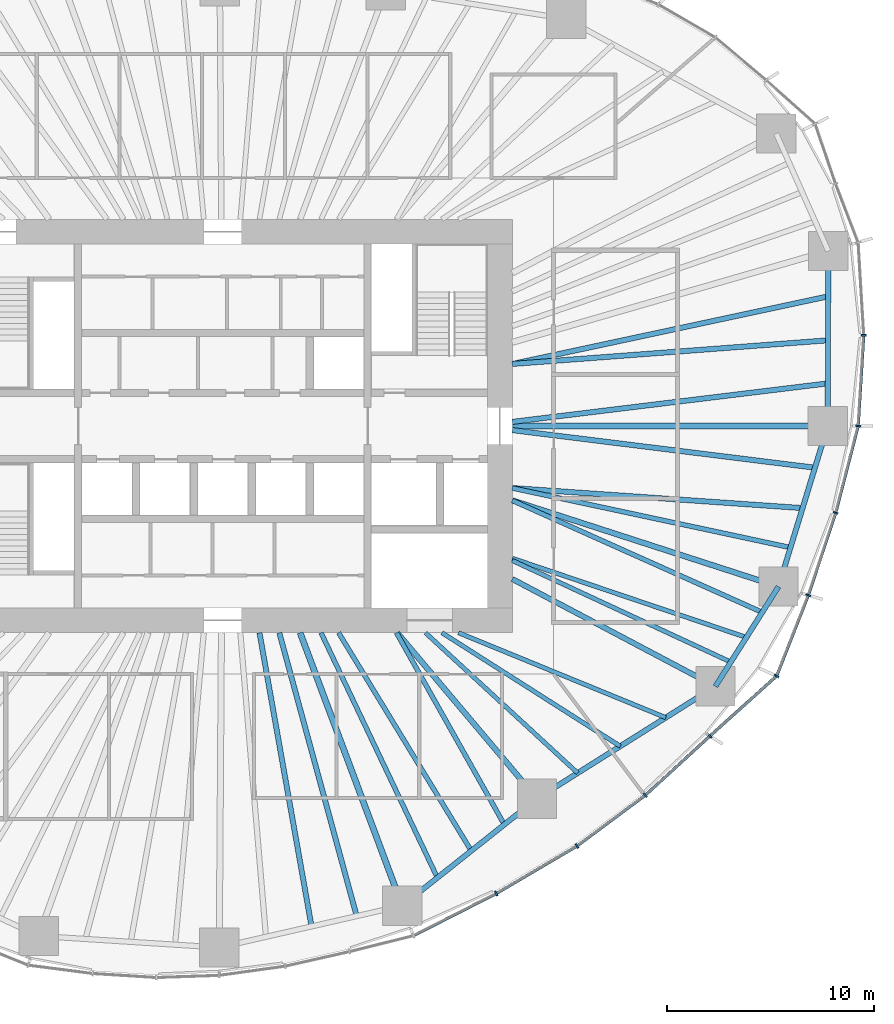
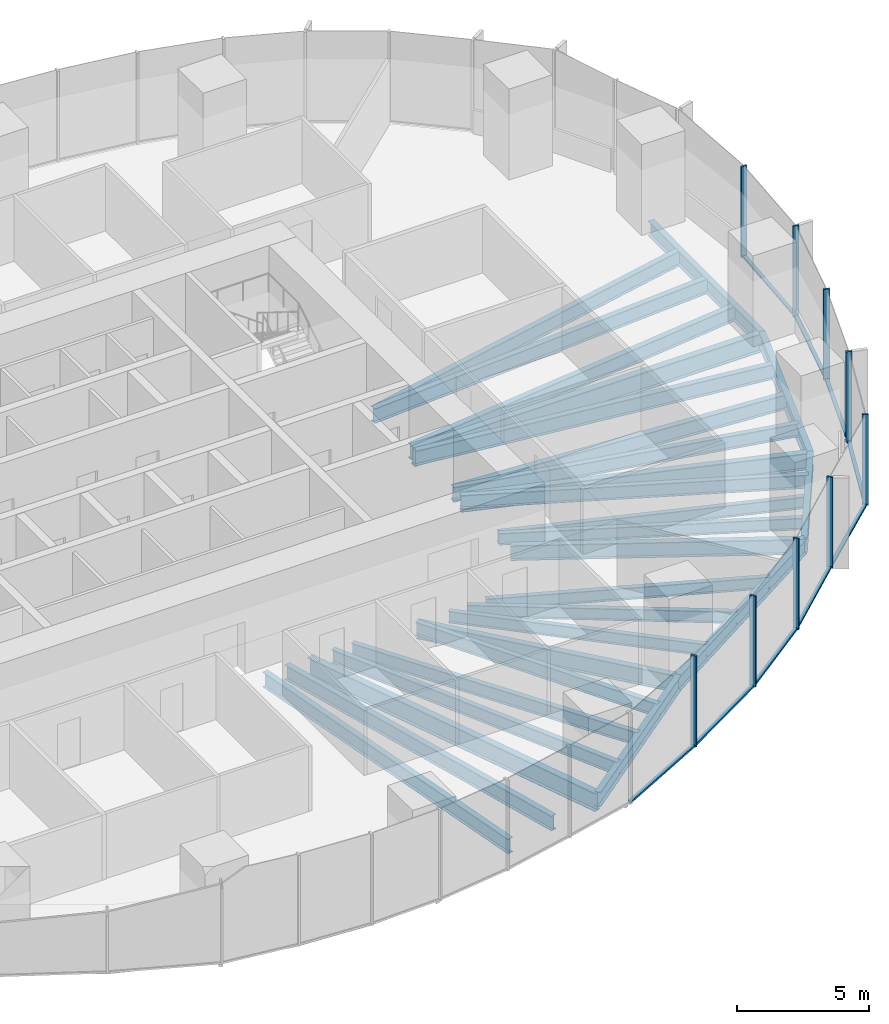
# One storey, part 4 of 20: 27 beams, 18 members, 5 elements without a shape of their own.
"""IFC4 building model written with IfcOpenShell, lengths in metres."""

from ifc_helpers import new_model, si_unit, direction, frame, origin, origin_2d, place, context, subcontext, project, spatial, rectangle, i_section, extrude, material, material_profile, profile_set, type_object, element, aggregate, save


model = new_model("IFC4")

# Units and contexts
model_context = context("Model", 3, precision=1e-05, world=origin(), true_north=direction((0.0, 1.0)))
body_context = subcontext(model_context, "Body", "Model", "MODEL_VIEW")
ifc_project = project(units=[si_unit("LENGTHUNIT", "METRE"), si_unit("AREAUNIT", "SQUARE_METRE"), si_unit("VOLUMEUNIT", "CUBIC_METRE"), si_unit("PLANEANGLEUNIT", "RADIAN"), si_unit("MASSUNIT", "GRAM", prefix="KILO")], contexts=[model_context])

# Site, building, storey
site_placement = place(None, origin())
site = spatial("IfcSite", under=ifc_project, at=site_placement, CompositionType="ELEMENT")
building_placement = place(site_placement, origin())
building = spatial("IfcBuilding", under=site, at=building_placement, Name="Ghaith Harvest Tower", CompositionType="ELEMENT")
storey_placement = place(building_placement, frame((0.0, 0.0, 109.199951171875)))
storey = spatial("IfcBuildingStorey", under=building, at=storey_placement, Name="L22", CompositionType="ELEMENT", Elevation=109.199951171875)

# Curtain wall, members
ifc_material_1 = material(Name="Black anodised aluminium and fritted glass", Category="aluminium")
curtain_wall_type = type_object("IfcCurtainWallType", Name="CW-L CURTAIN WALL", PredefinedType="NOTDEFINED", material=ifc_material_1)
curtain_wall_1_placement = place(storey_placement, origin())
curtain_wall_1 = element("IfcCurtainWall", 1, at=curtain_wall_1_placement, inside=storey, type_object=curtain_wall_type, Name="Curtain wall CW-L bay 01 L22", PredefinedType="NOTDEFINED")
ifc_material_2 = material(Name="Aluminium, black anodised", Category="aluminium")
ifc_material_profile_1 = material_profile(ifc_material_2, rectangle(XDim=0.080078125, YDim=0.239990234375, at=origin_2d()), Name="CW-L MULLION 80x240")
ifc_profile_set_1 = profile_set([ifc_material_profile_1], Name="Aluminium, black anodised")
member_type_1 = type_object("IfcMemberType", Name="CW-L MULLION 80x240", PredefinedType="MULLION", material=ifc_profile_set_1)
member_1_placement = place(storey_placement, frame((30.728759765625, 0.0, 0.0), z_axis=(0.0, 0.0, 1.0), x_axis=(0.155597142981, 0.987820595602, 0.0)))
member_1 = element("IfcMember", 2, at=member_1_placement, type_object=member_type_1, Name="CW-L mullion 1 bay 01 L22", PredefinedType="MULLION", context=body_context, shape_type="SweptSolid", body=[
    extrude(rectangle(XDim=0.080078125, YDim=0.239990234375, at=origin_2d()), origin(), (0.0, 0.0, 1.0), 4.199951171875),
])
member_2_placement = place(storey_placement, frame((30.998779296875, 4.389892578125, 0.0), z_axis=(0.0, 0.0, 1.0), x_axis=(-0.000162467394, 0.999999986802, 0.0)))
member_2 = element("IfcMember", 3, at=member_2_placement, type_object=member_type_1, Name="CW-L mullion 2 bay 01 L22", PredefinedType="MULLION", context=body_context, shape_type="SweptSolid", body=[
    extrude(rectangle(XDim=0.080078125, YDim=0.239990234375, at=origin_2d()), origin(), (0.0, 0.0, 1.0), 4.199951171875),
])

# Curtain wall, member
curtain_wall_2_placement = place(storey_placement, origin())
curtain_wall_2 = element("IfcCurtainWall", 4, at=curtain_wall_2_placement, inside=storey, type_object=curtain_wall_type, Name="Curtain wall CW-L bay 17 L22", PredefinedType="NOTDEFINED")
member_3_placement = place(storey_placement, frame((13.224365234375, -22.614013671875, 0.0), z_axis=(0.0, 0.0, 1.0), x_axis=(0.876898762173, 0.480675109507, 0.0)))
member_3 = element("IfcMember", 5, at=member_3_placement, type_object=member_type_1, Name="CW-L mullion 2 bay 17 L22", PredefinedType="MULLION", context=body_context, shape_type="SweptSolid", body=[
    extrude(rectangle(XDim=0.080078125, YDim=0.239990234375, at=origin_2d()), origin(), (0.0, 0.0, 1.0), 4.199951171875),
])

# Curtain wall, members
curtain_wall_3_placement = place(storey_placement, origin())
curtain_wall_3 = element("IfcCurtainWall", 6, at=curtain_wall_3_placement, inside=storey, type_object=curtain_wall_type, Name="Curtain wall CW-L bay 18 L22", PredefinedType="NOTDEFINED")
member_4_placement = place(storey_placement, frame((17.1318359375, -20.31591796875, 0.0), z_axis=(0.0, 0.0, 1.0), x_axis=(0.834887453241, 0.550420694035, 0.0)))
member_4 = element("IfcMember", 7, at=member_4_placement, type_object=member_type_1, Name="CW-L mullion 1 bay 18 L22", PredefinedType="MULLION", context=body_context, shape_type="SweptSolid", body=[
    extrude(rectangle(XDim=0.080078125, YDim=0.239990234375, at=origin_2d()), origin(), (0.0, 0.0, 1.0), 4.199951171875),
])
member_5_placement = place(storey_placement, frame((20.4296875, -17.86376953125, 0.0), z_axis=(0.0, 0.0, 1.0), x_axis=(0.770306399656, 0.637673937564, 0.0)))
member_5 = element("IfcMember", 8, at=member_5_placement, type_object=member_type_1, Name="CW-L mullion 2 bay 18 L22", PredefinedType="MULLION", context=body_context, shape_type="SweptSolid", body=[
    extrude(rectangle(XDim=0.080078125, YDim=0.239990234375, at=origin_2d()), origin(), (0.0, 0.0, 1.0), 4.199951171875),
])

curtain_wall_4_placement = place(storey_placement, origin())
curtain_wall_4 = element("IfcCurtainWall", 9, at=curtain_wall_4_placement, inside=storey, type_object=curtain_wall_type, Name="Curtain wall CW-L bay 19 L22", PredefinedType="NOTDEFINED")
member_6_placement = place(storey_placement, frame((23.560546875, -14.994140625, 0.0), z_axis=(0.0, 0.0, 1.0), x_axis=(0.740389054945, 0.672178582906, 0.0)))
member_6 = element("IfcMember", 10, at=member_6_placement, type_object=member_type_1, Name="CW-L mullion 1 bay 19 L22", PredefinedType="MULLION", context=body_context, shape_type="SweptSolid", body=[
    extrude(rectangle(XDim=0.080078125, YDim=0.239990234375, at=origin_2d()), origin(), (0.0, 0.0, 1.0), 4.199951171875),
])
member_7_placement = place(storey_placement, frame((26.786376953125, -12.0927734375, 0.0), z_axis=(0.0, 0.0, 1.0), x_axis=(0.572853476908, 0.819657790785, 0.0)))
member_7 = element("IfcMember", 11, at=member_7_placement, type_object=member_type_1, Name="CW-L mullion 2 bay 19 L22", PredefinedType="MULLION", context=body_context, shape_type="SweptSolid", body=[
    extrude(rectangle(XDim=0.080078125, YDim=0.239990234375, at=origin_2d()), origin(), (0.0, 0.0, 1.0), 4.199951171875),
])

curtain_wall_5_placement = place(storey_placement, origin())
curtain_wall_5 = element("IfcCurtainWall", 12, at=curtain_wall_5_placement, inside=storey, type_object=curtain_wall_type, Name="Curtain wall CW-L bay 20 L22", PredefinedType="NOTDEFINED")
member_8_placement = place(storey_placement, frame((28.319580078125, -8.184814453125, 0.0), z_axis=(0.0, 0.0, 1.0), x_axis=(0.34057402484, 0.94021770543, 0.0)))
member_8 = element("IfcMember", 13, at=member_8_placement, type_object=member_type_1, Name="CW-L mullion 1 bay 20 L22", PredefinedType="MULLION", context=body_context, shape_type="SweptSolid", body=[
    extrude(rectangle(XDim=0.080078125, YDim=0.239990234375, at=origin_2d()), origin(), (0.0, 0.0, 1.0), 4.199951171875),
])
member_9_placement = place(storey_placement, frame((29.64599609375, -4.1982421875, 0.0), z_axis=(0.0, 0.0, 1.0), x_axis=(0.282375140161, 0.959304060358, 0.0)))
member_9 = element("IfcMember", 14, at=member_9_placement, type_object=member_type_1, Name="CW-L mullion 2 bay 20 L22", PredefinedType="MULLION", context=body_context, shape_type="SweptSolid", body=[
    extrude(rectangle(XDim=0.080078125, YDim=0.239990234375, at=origin_2d()), origin(), (0.0, 0.0, 1.0), 4.199951171875),
])

# Member
ifc_material_3 = material(Name="Aluminium, black anodised", Category="aluminium")
ifc_material_profile_2 = material_profile(ifc_material_3, rectangle(XDim=0.14990234375, YDim=0.080078125, at=origin_2d()), Name="CW-L TRANSOM 150x80")
ifc_profile_set_2 = profile_set([ifc_material_profile_2], Name="Aluminium, black anodised")
member_type_2 = type_object("IfcMemberType", Name="CW-L TRANSOM 150x80", PredefinedType="USERDEFINED", material=ifc_profile_set_2)
member_10_placement = place(storey_placement, frame((30.731201171875, 0.0400390625, 0.0400390625), z_axis=(0.061403204251, 0.99811304295, 0.0), x_axis=(-0.99811304295, 0.061403204251, 0.0)))
member_10 = element("IfcMember", 15, at=member_10_placement, type_object=member_type_2, Name="CW-L transom 1 bay 01 L22", ObjectType="TRANSOM", PredefinedType="USERDEFINED", context=body_context, shape_type="SweptSolid", body=[
    extrude(rectangle(XDim=0.14990234375, YDim=0.080078125, at=origin_2d()), origin(), (0.0, 0.0, 1.0), 4.31787109375),
])

aggregate(curtain_wall_1, [member_1, member_10, member_2])

member_11_placement = place(storey_placement, frame((9.25244140625, -24.636474609375, 0.0400390625), z_axis=(0.891120044719, 0.453767634258, 0.0), x_axis=(-0.453767634258, 0.891120044719, 0.0)))
member_11 = element("IfcMember", 16, at=member_11_placement, type_object=member_type_2, Name="CW-L transom 1 bay 17 L22", ObjectType="TRANSOM", PredefinedType="USERDEFINED", context=body_context, shape_type="SweptSolid", body=[
    extrude(rectangle(XDim=0.14990234375, YDim=0.080078125, at=origin_2d()), origin(), (0.0, 0.0, 1.0), 4.417236328125),
])

member_12_placement = place(storey_placement, frame((13.259033203125, -22.59375, 0.0400390625), z_axis=(0.86196381091, 0.506969810424, 0.0), x_axis=(-0.506969810424, 0.86196381091, 0.0)))
member_12 = element("IfcMember", 17, at=member_12_placement, type_object=member_type_2, Name="CW-L transom 2 bay 17 L22", ObjectType="TRANSOM", PredefinedType="USERDEFINED", context=body_context, shape_type="SweptSolid", body=[
    extrude(rectangle(XDim=0.14990234375, YDim=0.080078125, at=origin_2d()), origin(), (0.0, 0.0, 1.0), 4.453125),
])

aggregate(curtain_wall_2, [member_11, member_3, member_12])

member_13_placement = place(storey_placement, frame((17.1640625, -20.2919921875, 0.0400390625), z_axis=(0.802465316609, 0.59669876457, 0.0), x_axis=(-0.59669876457, 0.802465316609, 0.0)))
member_13 = element("IfcMember", 18, at=member_13_placement, type_object=member_type_2, Name="CW-L transom 1 bay 18 L22", ObjectType="TRANSOM", PredefinedType="USERDEFINED", context=body_context, shape_type="SweptSolid", body=[
    extrude(rectangle(XDim=0.14990234375, YDim=0.080078125, at=origin_2d()), origin(), (0.0, 0.0, 1.0), 4.029296875),
])

member_14_placement = place(storey_placement, frame((20.459228515625, -17.836669921875, 0.0400390625), z_axis=(0.737197916434, 0.675676869521, 0.0), x_axis=(-0.675676869521, 0.737197916434, 0.0)))
member_14 = element("IfcMember", 19, at=member_14_placement, type_object=member_type_2, Name="CW-L transom 2 bay 18 L22", ObjectType="TRANSOM", PredefinedType="USERDEFINED", context=body_context, shape_type="SweptSolid", body=[
    extrude(rectangle(XDim=0.14990234375, YDim=0.080078125, at=origin_2d()), origin(), (0.0, 0.0, 1.0), 4.166748046875),
])

aggregate(curtain_wall_3, [member_4, member_13, member_5, member_14])

member_15_placement = place(storey_placement, frame((23.59033203125, -14.967529296875, 0.0400390625), z_axis=(0.74346800111, 0.668771509056, 0.0), x_axis=(-0.668771509056, 0.74346800111, 0.0)))
member_15 = element("IfcMember", 20, at=member_15_placement, type_object=member_type_2, Name="CW-L transom 1 bay 19 L22", ObjectType="TRANSOM", PredefinedType="USERDEFINED", context=body_context, shape_type="SweptSolid", body=[
    extrude(rectangle(XDim=0.14990234375, YDim=0.080078125, at=origin_2d()), origin(), (0.0, 0.0, 1.0), 4.2587890625),
])

member_16_placement = place(storey_placement, frame((26.801025390625, -12.055419921875, 0.0400390625), z_axis=(0.365228588652, 0.930917868575, 0.0), x_axis=(-0.930917868575, 0.365228588652, 0.0)))
member_16 = element("IfcMember", 21, at=member_16_placement, type_object=member_type_2, Name="CW-L transom 2 bay 19 L22", ObjectType="TRANSOM", PredefinedType="USERDEFINED", context=body_context, shape_type="SweptSolid", body=[
    extrude(rectangle(XDim=0.14990234375, YDim=0.080078125, at=origin_2d()), origin(), (0.0, 0.0, 1.0), 4.11767578125),
])

aggregate(curtain_wall_4, [member_6, member_15, member_7, member_16])

member_17_placement = place(storey_placement, frame((28.33203125, -8.14697265625, 0.0400390625), z_axis=(0.315712391444, 0.948854934059, 0.0), x_axis=(-0.948854934059, 0.315712391444, 0.0)))
member_17 = element("IfcMember", 22, at=member_17_placement, type_object=member_type_2, Name="CW-L transom 1 bay 20 L22", ObjectType="TRANSOM", PredefinedType="USERDEFINED", context=body_context, shape_type="SweptSolid", body=[
    extrude(rectangle(XDim=0.14990234375, YDim=0.080078125, at=origin_2d()), origin(), (0.0, 0.0, 1.0), 4.12158203125),
])

member_18_placement = place(storey_placement, frame((29.656005859375, -4.159423828125, 0.0400390625), z_axis=(0.249737470584, 0.968313583395, 0.0), x_axis=(-0.968313583395, 0.249737470584, 0.0)))
member_18 = element("IfcMember", 23, at=member_18_placement, type_object=member_type_2, Name="CW-L transom 2 bay 20 L22", ObjectType="TRANSOM", PredefinedType="USERDEFINED", context=body_context, shape_type="SweptSolid", body=[
    extrude(rectangle(XDim=0.14990234375, YDim=0.080078125, at=origin_2d()), origin(), (0.0, 0.0, 1.0), 4.25537109375),
])

aggregate(curtain_wall_5, [member_8, member_17, member_9, member_18])

# Beams
ifc_material_4 = material(Name="Steel ASTM A992 Grade 50", Category="steel")
ifc_material_profile_3 = material_profile(ifc_material_4, i_section(OverallWidth=0.25390625, OverallDepth=0.68408203125, WebThickness=0.012451171875, FlangeThickness=0.018798828125, at=origin_2d()), Name="W690X140")
ifc_profile_set_3 = profile_set([ifc_material_profile_3], Name="Steel ASTM A992 Grade 50")
beam_type_1 = type_object("IfcBeamType", Name="E690-140 W690X140", PredefinedType="SPANDREL", material=ifc_profile_set_3)
beam_1_placement = place(storey_placement, frame((29.259033203125, 0.0, -0.511962890625), z_axis=(0.003172847394, 0.999994966507, 0.0), x_axis=(-0.999994966507, 0.003172847394, 0.0)))
element("IfcBeam", 24, at=beam_1_placement, inside=storey, type_object=beam_type_1, Name="Edge beam E01 L22", PredefinedType="SPANDREL", context=body_context, shape_type="SweptSolid", body=[
    extrude(i_section(OverallWidth=0.25390625, OverallDepth=0.68408203125, WebThickness=0.012451171875, FlangeThickness=0.018798828125, at=origin_2d()), origin(), (0.0, 0.0, 1.0), 8.464111328125),
])
beam_2_placement = place(storey_placement, frame((8.674072265625, -23.202880859375, -0.511962890625), z_axis=(0.783159540917, 0.621820821033, 0.0), x_axis=(-0.621820821033, 0.783159540917, 0.0)))
element("IfcBeam", 25, at=beam_2_placement, inside=storey, type_object=beam_type_1, Name="Edge beam E17 L22", PredefinedType="SPANDREL", context=body_context, shape_type="SweptSolid", body=[
    extrude(i_section(OverallWidth=0.25390625, OverallDepth=0.68408203125, WebThickness=0.012451171875, FlangeThickness=0.018798828125, at=origin_2d()), origin(), (0.0, 0.0, 1.0), 8.330322265625),
])
beam_3_placement = place(storey_placement, frame((15.197998046875, -18.02294921875, -0.511962890625), z_axis=(0.846385185363, 0.532571232793, 0.0), x_axis=(-0.532571232793, 0.846385185363, 0.0)))
element("IfcBeam", 26, at=beam_3_placement, inside=storey, type_object=beam_type_1, Name="Edge beam E18 L22", PredefinedType="SPANDREL", context=body_context, shape_type="SweptSolid", body=[
    extrude(i_section(OverallWidth=0.25390625, OverallDepth=0.68408203125, WebThickness=0.012451171875, FlangeThickness=0.018798828125, at=origin_2d()), origin(), (0.0, 0.0, 1.0), 10.19384765625),
])
beam_4_placement = place(storey_placement, frame((23.825927734375, -12.593994140625, -0.511962890625), z_axis=(0.534499624093, 0.845168712059, 0.0), x_axis=(-0.845168712059, 0.534499624093, 0.0)))
element("IfcBeam", 27, at=beam_4_placement, inside=storey, type_object=beam_type_1, Name="Edge beam E19 L22", PredefinedType="SPANDREL", context=body_context, shape_type="SweptSolid", body=[
    extrude(i_section(OverallWidth=0.25390625, OverallDepth=0.68408203125, WebThickness=0.012451171875, FlangeThickness=0.018798828125, at=origin_2d()), origin(), (0.0, 0.0, 1.0), 5.7099609375),
])
beam_5_placement = place(storey_placement, frame((26.8779296875, -7.76806640625, -0.511962890625), z_axis=(0.293065809375, 0.956092271371, 0.0), x_axis=(-0.956092271371, 0.293065809375, 0.0)))
element("IfcBeam", 28, at=beam_5_placement, inside=storey, type_object=beam_type_1, Name="Edge beam E20 L22", PredefinedType="SPANDREL", context=body_context, shape_type="SweptSolid", body=[
    extrude(i_section(OverallWidth=0.25390625, OverallDepth=0.68408203125, WebThickness=0.012451171875, FlangeThickness=0.018798828125, at=origin_2d()), origin(), (0.0, 0.0, 1.0), 8.124755859375),
])
ifc_material_5 = material(Name="Steel ASTM A992 Grade 50", Category="steel")
ifc_material_profile_4 = material_profile(ifc_material_5, i_section(OverallWidth=0.256103515625, OverallDepth=0.693115234375, WebThickness=0.014404296875, FlangeThickness=0.023681640625, at=origin_2d()), Name="W690X170")
ifc_profile_set_4 = profile_set([ifc_material_profile_4], Name="Steel ASTM A992 Grade 50")
beam_type_2 = type_object("IfcBeamType", Name="G690-170 W690X170", PredefinedType="BEAM", material=ifc_profile_set_4)
beam_6_placement = place(storey_placement, frame((14.0, -7.39990234375, -0.516357421875), z_axis=(0.884080549082, -0.467334551189, 0.0), x_axis=(0.467334551189, 0.884080549082, 0.0)))
element("IfcBeam", 29, at=beam_6_placement, inside=storey, type_object=beam_type_2, Name="Radial girder G19 L22", PredefinedType="BEAM", context=body_context, shape_type="SweptSolid", body=[
    extrude(i_section(OverallWidth=0.256103515625, OverallDepth=0.693115234375, WebThickness=0.014404296875, FlangeThickness=0.023681640625, at=origin_2d()), origin(), (0.0, 0.0, 1.0), 11.1142578125),
])
ifc_material_6 = material(Name="Steel ASTM A992 Grade 50", Category="steel")
ifc_material_profile_5 = material_profile(ifc_material_6, i_section(OverallWidth=0.26806640625, OverallDepth=0.77001953125, WebThickness=0.015625, FlangeThickness=0.025390625, at=origin_2d()), Name="W760X196")
ifc_profile_set_5 = profile_set([ifc_material_profile_5], Name="Steel ASTM A992 Grade 50")
beam_type_3 = type_object("IfcBeamType", Name="G760-196 W760X196", PredefinedType="BEAM", material=ifc_profile_set_5)
beam_7_placement = place(storey_placement, frame((8.4326171875, -10.0, -0.554931640625), z_axis=(0.644649240595, -0.764478486682, 0.0), x_axis=(0.764478486682, 0.644649240595, 0.0)))
element("IfcBeam", 30, at=beam_7_placement, inside=storey, type_object=beam_type_3, Name="Radial girder G18 L22", PredefinedType="BEAM", context=body_context, shape_type="SweptSolid", body=[
    extrude(i_section(OverallWidth=0.26806640625, OverallDepth=0.77001953125, WebThickness=0.015625, FlangeThickness=0.025390625, at=origin_2d()), origin(), (0.0, 0.0, 1.0), 10.49462890625),
])
beam_8_placement = place(storey_placement, frame((14.0, -3.60009765625, -0.554931640625), z_axis=(0.951410331565, -0.307925934262, 0.0), x_axis=(0.307925934262, 0.951410331565, 0.0)))
element("IfcBeam", 31, at=beam_8_placement, inside=storey, type_object=beam_type_3, Name="Radial girder G20 L22", PredefinedType="BEAM", context=body_context, shape_type="SweptSolid", body=[
    extrude(i_section(OverallWidth=0.26806640625, OverallDepth=0.77001953125, WebThickness=0.015625, FlangeThickness=0.025390625, at=origin_2d()), origin(), (0.0, 0.0, 1.0), 13.53564453125),
])
ifc_material_7 = material(Name="Steel ASTM A992 Grade 50", Category="steel")
ifc_material_profile_6 = material_profile(ifc_material_7, i_section(OverallWidth=0.2939453125, OverallDepth=0.85107421875, WebThickness=0.01611328125, FlangeThickness=0.02685546875, at=origin_2d()), Name="W840X226")
ifc_profile_set_6 = profile_set([ifc_material_profile_6], Name="Steel ASTM A992 Grade 50")
beam_type_4 = type_object("IfcBeamType", Name="G840-226 W840X226", PredefinedType="BEAM", material=ifc_profile_set_6)
beam_9_placement = place(storey_placement, frame((14.0, 0.0, -0.595458984375), z_axis=(1.0, 0.0, 0.0), x_axis=(0.0, 1.0, 0.0)))
element("IfcBeam", 32, at=beam_9_placement, inside=storey, type_object=beam_type_4, Name="Radial girder G01 L22", PredefinedType="BEAM", context=body_context, shape_type="SweptSolid", body=[
    extrude(i_section(OverallWidth=0.2939453125, OverallDepth=0.85107421875, WebThickness=0.01611328125, FlangeThickness=0.02685546875, at=origin_2d()), origin(), (0.0, 0.0, 1.0), 15.259033203125),
])
beam_10_placement = place(storey_placement, frame((3.73828125, -10.0, -0.595458984375), z_axis=(0.350172283717, -0.936685310932, 0.0), x_axis=(0.936685310932, 0.350172283717, 0.0)))
element("IfcBeam", 33, at=beam_10_placement, inside=storey, type_object=beam_type_4, Name="Radial girder G17 L22", PredefinedType="BEAM", context=body_context, shape_type="SweptSolid", body=[
    extrude(i_section(OverallWidth=0.2939453125, OverallDepth=0.85107421875, WebThickness=0.01611328125, FlangeThickness=0.02685546875, at=origin_2d()), origin(), (0.0, 0.0, 1.0), 14.09521484375),
])
ifc_material_8 = material(Name="Steel ASTM A992 Grade 50", Category="steel")
ifc_material_profile_7 = material_profile(ifc_material_8, i_section(OverallWidth=0.2109375, OverallDepth=0.5390625, WebThickness=0.01171875, FlangeThickness=0.018798828125, at=origin_2d()), Name="W530X109")
ifc_profile_set_7 = profile_set([ifc_material_profile_7], Name="Steel ASTM A992 Grade 50")
beam_type_5 = type_object("IfcBeamType", Name="J530-109 W530X109", PredefinedType="JOIST", material=ifc_profile_set_7)
beam_11_placement = place(storey_placement, frame((9.800048828125, -10.0, -0.439453125), z_axis=(0.735441512033, -0.677588210035, 0.0), x_axis=(0.677588210035, 0.735441512033, 0.0)))
element("IfcBeam", 34, at=beam_11_placement, inside=storey, type_object=beam_type_5, Name="Joist J18.1 L22", PredefinedType="JOIST", context=body_context, shape_type="SweptSolid", body=[
    extrude(i_section(OverallWidth=0.2109375, OverallDepth=0.5390625, WebThickness=0.01171875, FlangeThickness=0.018798828125, at=origin_2d()), origin(), (0.0, 0.0, 1.0), 10.01416015625),
])
beam_12_placement = place(storey_placement, frame((10.60009765625, -10.0, -0.439453125), z_axis=(0.843584777848, -0.536996017288, 0.0), x_axis=(0.536996017288, 0.843584777848, 0.0)))
element("IfcBeam", 35, at=beam_12_placement, inside=storey, type_object=beam_type_5, Name="Joist J18.2 L22", PredefinedType="JOIST", context=body_context, shape_type="SweptSolid", body=[
    extrude(i_section(OverallWidth=0.2109375, OverallDepth=0.5390625, WebThickness=0.01171875, FlangeThickness=0.018798828125, at=origin_2d()), origin(), (0.0, 0.0, 1.0), 10.22314453125),
])
beam_13_placement = place(storey_placement, frame((11.39990234375, -10.0, -0.439453125), z_axis=(0.925406878607, -0.378975077053, 0.0), x_axis=(0.378975077053, 0.925406878607, 0.0)))
element("IfcBeam", 36, at=beam_13_placement, inside=storey, type_object=beam_type_5, Name="Joist J18.3 L22", PredefinedType="JOIST", context=body_context, shape_type="SweptSolid", body=[
    extrude(i_section(OverallWidth=0.2109375, OverallDepth=0.5390625, WebThickness=0.01171875, FlangeThickness=0.018798828125, at=origin_2d()), origin(), (0.0, 0.0, 1.0), 10.83251953125),
])
beam_14_placement = place(storey_placement, frame((14.0, -6.506103515625, -0.439453125), z_axis=(0.906863188232, -0.421425150922, 0.0), x_axis=(0.421425150922, 0.906863188232, 0.0)))
element("IfcBeam", 37, at=beam_14_placement, inside=storey, type_object=beam_type_5, Name="Joist J19.1 L22", PredefinedType="JOIST", context=body_context, shape_type="SweptSolid", body=[
    extrude(i_section(OverallWidth=0.2109375, OverallDepth=0.5390625, WebThickness=0.01171875, FlangeThickness=0.018798828125, at=origin_2d()), origin(), (0.0, 0.0, 1.0), 11.6552734375),
])
beam_15_placement = place(storey_placement, frame((14.0, -6.39990234375, -0.439453125), z_axis=(0.947372072272, -0.320134591508, 0.0), x_axis=(0.320134591508, 0.947372072272, 0.0)))
element("IfcBeam", 38, at=beam_15_placement, inside=storey, type_object=beam_type_5, Name="Joist J19.2 L22", PredefinedType="JOIST", context=body_context, shape_type="SweptSolid", body=[
    extrude(i_section(OverallWidth=0.2109375, OverallDepth=0.5390625, WebThickness=0.01171875, FlangeThickness=0.018798828125, at=origin_2d()), origin(), (0.0, 0.0, 1.0), 11.95263671875),
])
ifc_material_9 = material(Name="Steel ASTM A992 Grade 50", Category="steel")
ifc_material_profile_8 = material_profile(ifc_material_9, i_section(OverallWidth=0.22900390625, OverallDepth=0.612060546875, WebThickness=0.011962890625, FlangeThickness=0.01953125, at=origin_2d()), Name="W610X125")
ifc_profile_set_8 = profile_set([ifc_material_profile_8], Name="Steel ASTM A992 Grade 50")
beam_type_6 = type_object("IfcBeamType", Name="J610-125 W610X125", PredefinedType="JOIST", material=ifc_profile_set_8)
beam_16_placement = place(storey_placement, frame((4.75, -10.0, -0.475830078125), z_axis=(0.429062888327, -0.903274619294, 0.0), x_axis=(0.903274619294, 0.429062888327, 0.0)))
element("IfcBeam", 39, at=beam_16_placement, inside=storey, type_object=beam_type_6, Name="Joist J17.1 L22", PredefinedType="JOIST", context=body_context, shape_type="SweptSolid", body=[
    extrude(i_section(OverallWidth=0.22900390625, OverallDepth=0.612060546875, WebThickness=0.011962890625, FlangeThickness=0.01953125, at=origin_2d()), origin(), (0.0, 0.0, 1.0), 13.118408203125),
])
beam_17_placement = place(storey_placement, frame((5.60009765625, -10.0, -0.475830078125), z_axis=(0.51969412955, -0.854352393167, 0.0), x_axis=(0.854352393167, 0.51969412955, 0.0)))
element("IfcBeam", 40, at=beam_17_placement, inside=storey, type_object=beam_type_6, Name="Joist J17.2 L22", PredefinedType="JOIST", context=body_context, shape_type="SweptSolid", body=[
    extrude(i_section(OverallWidth=0.22900390625, OverallDepth=0.612060546875, WebThickness=0.011962890625, FlangeThickness=0.01953125, at=origin_2d()), origin(), (0.0, 0.0, 1.0), 12.34716796875),
])
beam_18_placement = place(storey_placement, frame((8.39990234375, -10.0, -0.475830078125), z_axis=(0.489936713337, -0.871758003648, 0.0), x_axis=(0.871758003648, 0.489936713337, 0.0)))
element("IfcBeam", 41, at=beam_18_placement, inside=storey, type_object=beam_type_6, Name="Joist J17.3 L22", PredefinedType="JOIST", context=body_context, shape_type="SweptSolid", body=[
    extrude(i_section(OverallWidth=0.22900390625, OverallDepth=0.612060546875, WebThickness=0.011962890625, FlangeThickness=0.01953125, at=origin_2d()), origin(), (0.0, 0.0, 1.0), 10.64501953125),
])
beam_19_placement = place(storey_placement, frame((14.0, -3.60009765625, -0.475830078125), z_axis=(0.912738327266, -0.408544668231, 0.0), x_axis=(0.408544668231, 0.912738327266, 0.0)))
element("IfcBeam", 42, at=beam_19_placement, inside=storey, type_object=beam_type_6, Name="Joist J19.3 L22", PredefinedType="JOIST", context=body_context, shape_type="SweptSolid", body=[
    extrude(i_section(OverallWidth=0.22900390625, OverallDepth=0.612060546875, WebThickness=0.011962890625, FlangeThickness=0.01953125, at=origin_2d()), origin(), (0.0, 0.0, 1.0), 13.247314453125),
])
beam_20_placement = place(storey_placement, frame((14.0, -3.0, -0.475830078125), z_axis=(0.97783433664, -0.209380061343, 0.0), x_axis=(0.209380061343, 0.97783433664, 0.0)))
element("IfcBeam", 43, at=beam_20_placement, inside=storey, type_object=beam_type_6, Name="Joist J20.1 L22", PredefinedType="JOIST", context=body_context, shape_type="SweptSolid", body=[
    extrude(i_section(OverallWidth=0.22900390625, OverallDepth=0.612060546875, WebThickness=0.011962890625, FlangeThickness=0.01953125, at=origin_2d()), origin(), (0.0, 0.0, 1.0), 13.76123046875),
])
ifc_material_10 = material(Name="Steel ASTM A992 Grade 50", Category="steel")
ifc_material_profile_9 = material_profile(ifc_material_10, i_section(OverallWidth=0.25390625, OverallDepth=0.68408203125, WebThickness=0.012451171875, FlangeThickness=0.018798828125, at=origin_2d()), Name="W690X140")
ifc_profile_set_9 = profile_set([ifc_material_profile_9], Name="Steel ASTM A992 Grade 50")
beam_type_7 = type_object("IfcBeamType", Name="J690-140 W690X140", PredefinedType="JOIST", material=ifc_profile_set_9)
beam_21_placement = place(storey_placement, frame((14.0, 0.199951171875, -0.511962890625), z_axis=(0.992642759881, 0.121079937462, 0.0), x_axis=(-0.121079937462, 0.992642759881, 0.0)))
element("IfcBeam", 44, at=beam_21_placement, inside=storey, type_object=beam_type_7, Name="Joist J01.1 L22", PredefinedType="JOIST", context=body_context, shape_type="SweptSolid", body=[
    extrude(i_section(OverallWidth=0.25390625, OverallDepth=0.68408203125, WebThickness=0.012451171875, FlangeThickness=0.018798828125, at=origin_2d()), origin(), (0.0, 0.0, 1.0), 15.378662109375),
])
beam_22_placement = place(storey_placement, frame((14.0, 3.0, -0.511962890625), z_axis=(0.997200052902, 0.074780040735, 0.0), x_axis=(-0.074780040735, 0.997200052902, 0.0)))
element("IfcBeam", 45, at=beam_22_placement, inside=storey, type_object=beam_type_7, Name="Joist J01.2 L22", PredefinedType="JOIST", context=body_context, shape_type="SweptSolid", body=[
    extrude(i_section(OverallWidth=0.25390625, OverallDepth=0.68408203125, WebThickness=0.012451171875, FlangeThickness=0.018798828125, at=origin_2d()), origin(), (0.0, 0.0, 1.0), 15.315185546875),
])
beam_23_placement = place(storey_placement, frame((14.0, 3.0, -0.511962890625), z_axis=(0.977833271545, 0.209385035425, 0.0), x_axis=(-0.209385035425, 0.977833271545, 0.0)))
element("IfcBeam", 46, at=beam_23_placement, inside=storey, type_object=beam_type_7, Name="Joist J01.3 L22", PredefinedType="JOIST", context=body_context, shape_type="SweptSolid", body=[
    extrude(i_section(OverallWidth=0.25390625, OverallDepth=0.68408203125, WebThickness=0.012451171875, FlangeThickness=0.018798828125, at=origin_2d()), origin(), (0.0, 0.0, 1.0), 15.62548828125),
])
beam_24_placement = place(storey_placement, frame((1.772705078125, -10.0, -0.511962890625), z_axis=(0.174552818486, -0.98464781194, 0.0), x_axis=(0.98464781194, 0.174552818486, 0.0)))
element("IfcBeam", 47, at=beam_24_placement, inside=storey, type_object=beam_type_7, Name="Joist J16.2 L22", PredefinedType="JOIST", context=body_context, shape_type="SweptSolid", body=[
    extrude(i_section(OverallWidth=0.25390625, OverallDepth=0.68408203125, WebThickness=0.012451171875, FlangeThickness=0.018798828125, at=origin_2d()), origin(), (0.0, 0.0, 1.0), 14.42578125),
])
beam_25_placement = place(storey_placement, frame((2.73095703125, -10.0, -0.511962890625), z_axis=(0.263463446032, -0.964669379946, 0.0), x_axis=(0.964669379946, 0.263463446032, 0.0)))
element("IfcBeam", 48, at=beam_25_placement, inside=storey, type_object=beam_type_7, Name="Joist J16.3 L22", PredefinedType="JOIST", context=body_context, shape_type="SweptSolid", body=[
    extrude(i_section(OverallWidth=0.25390625, OverallDepth=0.68408203125, WebThickness=0.012451171875, FlangeThickness=0.018798828125, at=origin_2d()), origin(), (0.0, 0.0, 1.0), 14.20751953125),
])
beam_26_placement = place(storey_placement, frame((14.0, -3.0, -0.511962890625), z_axis=(0.997616678907, -0.068999724397, 0.0), x_axis=(0.068999724397, 0.997616678907, 0.0)))
element("IfcBeam", 49, at=beam_26_placement, inside=storey, type_object=beam_type_7, Name="Joist J20.2 L22", PredefinedType="JOIST", context=body_context, shape_type="SweptSolid", body=[
    extrude(i_section(OverallWidth=0.25390625, OverallDepth=0.68408203125, WebThickness=0.012451171875, FlangeThickness=0.018798828125, at=origin_2d()), origin(), (0.0, 0.0, 1.0), 14.0751953125),
])
beam_27_placement = place(storey_placement, frame((14.0, -0.199951171875, -0.511962890625), z_axis=(0.992379127816, -0.123222021874, 0.0), x_axis=(0.123222021874, 0.992379127816, 0.0)))
element("IfcBeam", 50, at=beam_27_placement, inside=storey, type_object=beam_type_7, Name="Joist J20.3 L22", PredefinedType="JOIST", context=body_context, shape_type="SweptSolid", body=[
    extrude(i_section(OverallWidth=0.25390625, OverallDepth=0.68408203125, WebThickness=0.012451171875, FlangeThickness=0.018798828125, at=origin_2d()), origin(), (0.0, 0.0, 1.0), 14.7529296875),
])

save(model, "model.ifc")
